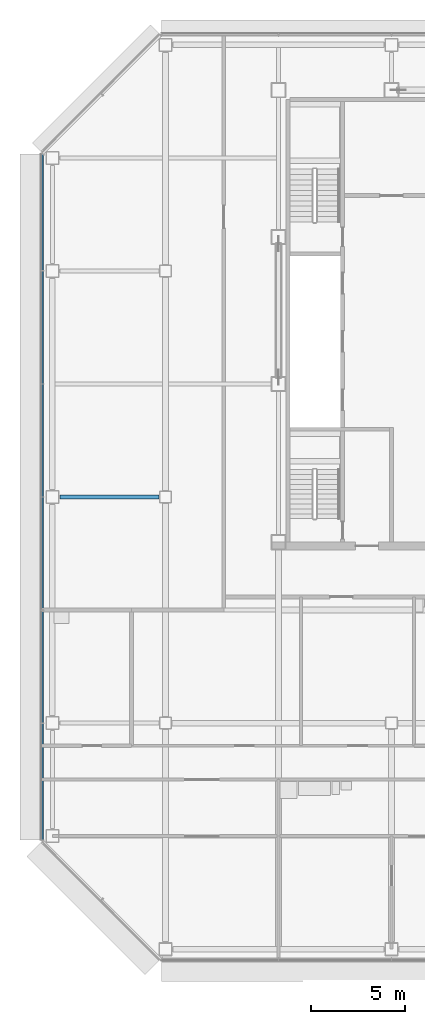
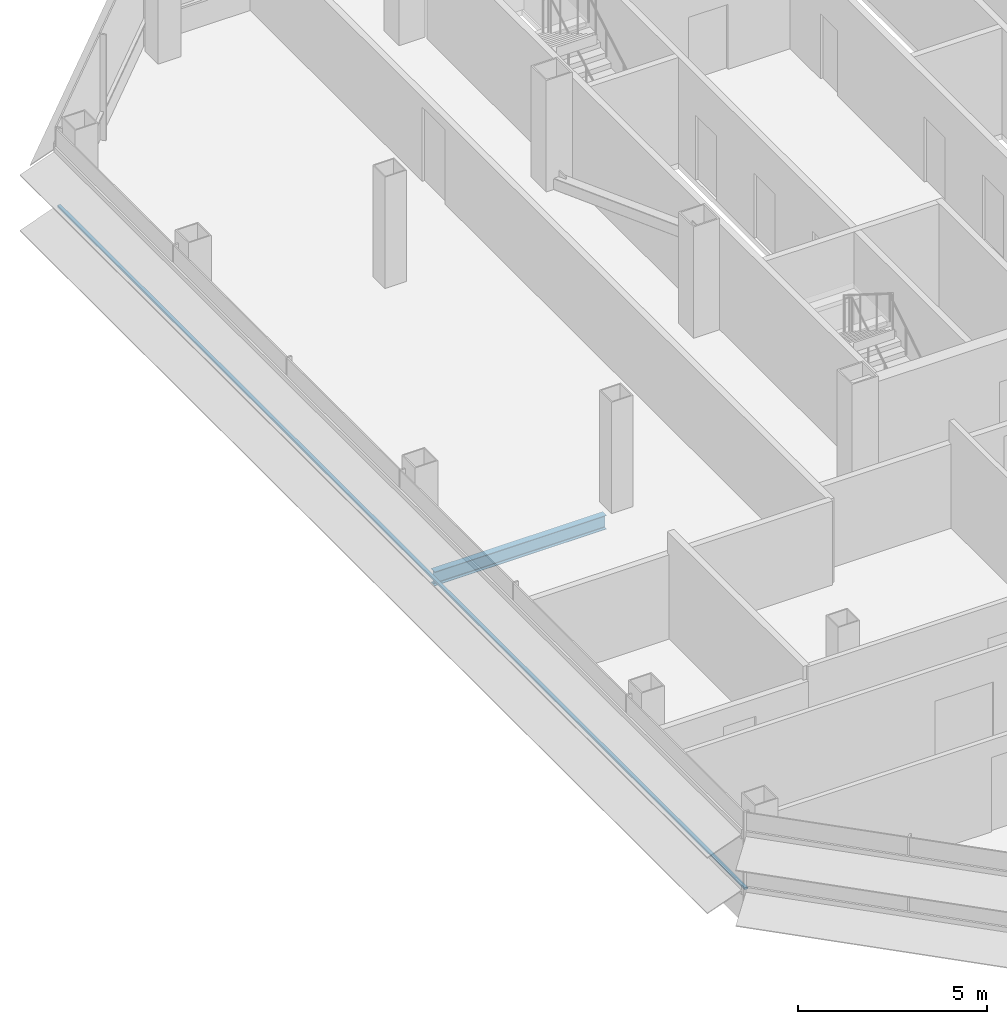
# One storey, part 5 of 26: 1 beam, 1 member, 1 element without a shape of its own.
"""IFC4 building model written with IfcOpenShell, lengths in metres."""

from ifc_helpers import new_model, si_unit, direction, frame, origin, origin_2d, place, context, subcontext, project, spatial, rectangle, i_section, extrude, material, material_profile, profile_set, type_object, element, aggregate, save


model = new_model("IFC4")

# Units and contexts
model_context = context("Model", 3, precision=1e-05, world=origin(), true_north=direction((0.0, 1.0)))
body_context = subcontext(model_context, "Body", "Model", "MODEL_VIEW")
ifc_project = project(units=[si_unit("LENGTHUNIT", "METRE"), si_unit("AREAUNIT", "SQUARE_METRE"), si_unit("VOLUMEUNIT", "CUBIC_METRE"), si_unit("PLANEANGLEUNIT", "RADIAN"), si_unit("MASSUNIT", "GRAM", prefix="KILO")], contexts=[model_context])

# Site, building, storey
site_placement = place(None, origin())
site = spatial("IfcSite", under=ifc_project, at=site_placement, CompositionType="ELEMENT")
building_placement = place(site_placement, origin())
building = spatial("IfcBuilding", under=site, at=building_placement, Name="Sorahane Residences", CompositionType="ELEMENT")
storey_placement = place(building_placement, frame((0.0, 0.0, 147.39990234375)))
storey = spatial("IfcBuildingStorey", under=building, at=storey_placement, Name="L33", CompositionType="ELEMENT", Elevation=147.39990234375)

# Curtain wall, member
ifc_material_1 = material(Name="Dark low-e glass and black anodised aluminium", Category="aluminium")
curtain_wall_type = type_object("IfcCurtainWallType", Name="Curtain wall CW-1 Typical unitised wall", PredefinedType="NOTDEFINED", material=ifc_material_1)
curtain_wall_placement = place(storey_placement, origin())
curtain_wall = element("IfcCurtainWall", 1, at=curtain_wall_placement, inside=storey, type_object=curtain_wall_type, Name="CW-1 curtain wall L33 W1", PredefinedType="NOTDEFINED")
ifc_material_2 = material(Name="Black anodised aluminium", Category="aluminium")
ifc_material_profile_1 = material_profile(ifc_material_2, rectangle(XDim=0.10009765625, YDim=0.06005859375, at=origin_2d()), Name="Curtain wall transom CW-1 black anodised aluminium 60x100")
ifc_profile_set_1 = profile_set([ifc_material_profile_1], Name="Black anodised aluminium")
member_type = type_object("IfcMemberType", Name="Curtain wall transom CW-1 black anodised aluminium 60x100", PredefinedType="USERDEFINED", material=ifc_profile_set_1)
member_placement = place(storey_placement, frame((-6.530029296875, 42.198486328125, 0.900146484375), z_axis=(0.0, -1.0, 0.0), x_axis=(1.0, 0.0, 0.0)))
member = element("IfcMember", 2, at=member_placement, type_object=member_type, Name="CW-1 transom L33 W1", ObjectType="TRANSOM", PredefinedType="USERDEFINED", context=body_context, shape_type="SweptSolid", body=[
    extrude(rectangle(XDim=0.10009765625, YDim=0.06005859375, at=origin_2d()), origin(), (0.0, 0.0, 1.0), 36.39697265625),
])
aggregate(curtain_wall, [member])

# Beam
ifc_material_3 = material(Name="Steel Q355B", Category="steel")
ifc_material_profile_2 = material_profile(ifc_material_3, i_section(OverallWidth=0.199951171875, OverallDepth=0.449951171875, WebThickness=0.009033203125, FlangeThickness=0.013916015625, FilletRadius=0.02001953125, at=origin_2d()), Name="HN 450x200x9x14")
ifc_profile_set_2 = profile_set([ifc_material_profile_2], Name="Steel Q355B")
beam_type = type_object("IfcBeamType", Name="Steel floor beam HN 450x200x9x14 Q355B", PredefinedType="BEAM", material=ifc_profile_set_2)
beam_placement = place(storey_placement, frame((-5.60009765625, 24.0, -0.40478515625), z_axis=(1.0, 0.0, 0.0), x_axis=(0.0, 1.0, 0.0)))
element("IfcBeam", 3, at=beam_placement, inside=storey, type_object=beam_type, Name="Beam L33 011", PredefinedType="BEAM", context=body_context, shape_type="SweptSolid", body=[
    extrude(i_section(OverallWidth=0.199951171875, OverallDepth=0.449951171875, WebThickness=0.009033203125, FlangeThickness=0.013916015625, FilletRadius=0.02001953125, at=origin_2d()), origin(), (0.0, 0.0, 1.0), 5.25),
])

save(model, "model.ifc")
